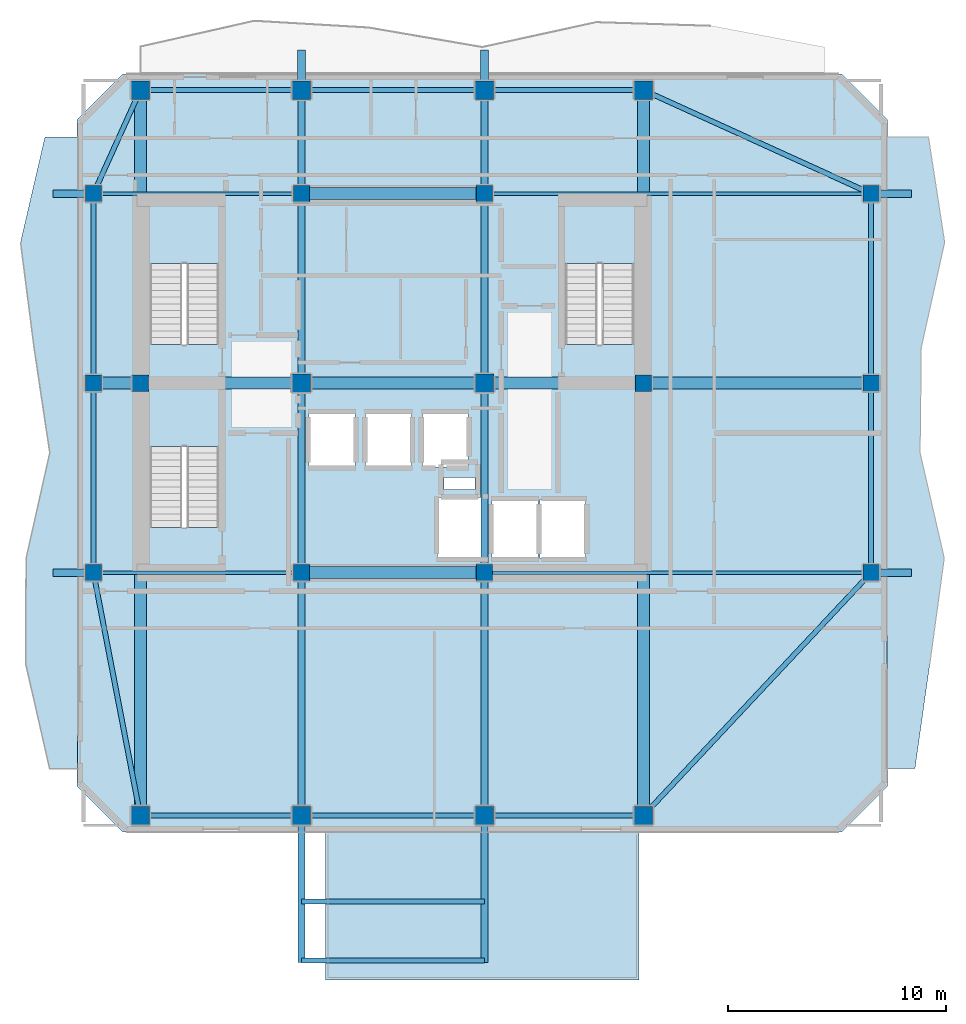
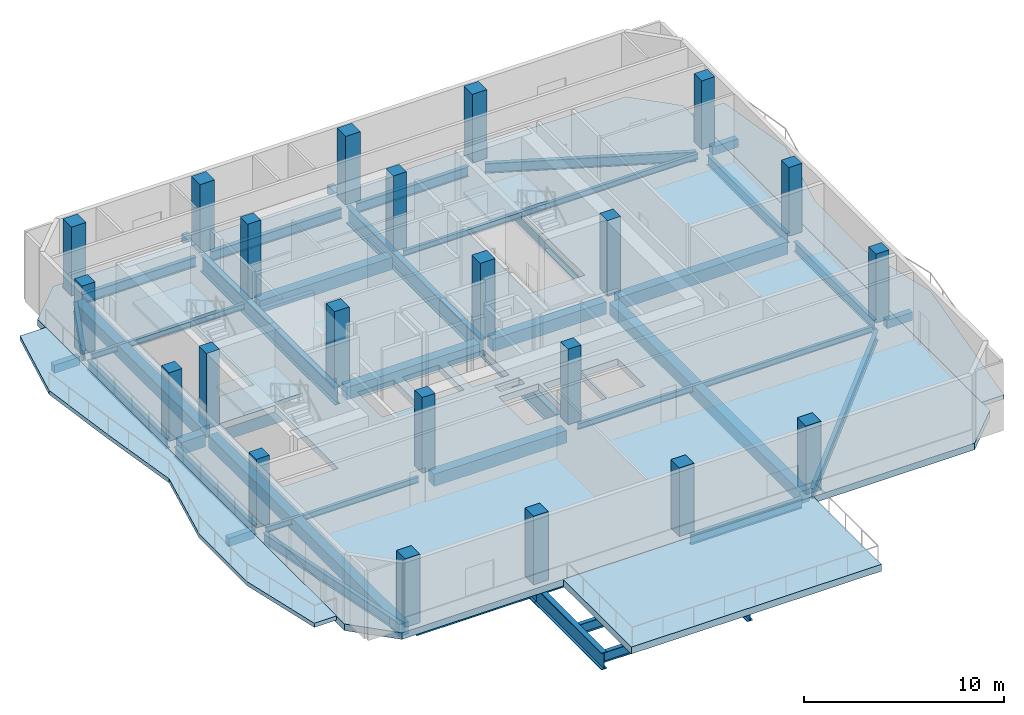
# One storey, part 1 of 10: 43 beams, 22 columns, 7 slabs, 3 elements without a shape of their own.
"""IFC4 building model written with IfcOpenShell, lengths in metres."""

from ifc_helpers import new_model, si_unit, direction, frame, origin, origin_2d, place, context, subcontext, project, spatial, polyline, rectangle, i_section, outline, extrude, material, layer, layer_set, material_profile, profile_set, type_object, element, aggregate, save


model = new_model("IFC4")

# Units and contexts
model_context = context("Model", 3, precision=1e-05, world=origin(), true_north=direction((0.0, 1.0)))
body_context = subcontext(model_context, "Body", "Model", "MODEL_VIEW")
ifc_project = project(units=[si_unit("LENGTHUNIT", "METRE"), si_unit("AREAUNIT", "SQUARE_METRE"), si_unit("VOLUMEUNIT", "CUBIC_METRE"), si_unit("PLANEANGLEUNIT", "RADIAN"), si_unit("MASSUNIT", "GRAM", prefix="KILO")], contexts=[model_context])

# Site, building, storey
site_placement = place(None, origin())
site = spatial("IfcSite", under=ifc_project, at=site_placement, CompositionType="ELEMENT")
building_placement = place(site_placement, origin())
building = spatial("IfcBuilding", under=site, at=building_placement, Name="Solanera Arch Residences", CompositionType="ELEMENT")
storey_placement = place(building_placement, frame((0.0, 0.0, 226.679931640625)))
storey = spatial("IfcBuildingStorey", under=building, at=storey_placement, Name="L66", CompositionType="ELEMENT", Elevation=226.679931640625)

# Columns
ifc_material_1 = material(Name="Concrete C40/50 (f'c = 45 MPa)", Category="concrete")
ifc_material_profile_1 = material_profile(ifc_material_1, rectangle(XDim=0.75, YDim=0.75, at=origin_2d()))
ifc_profile_set_1 = profile_set([ifc_material_profile_1], Name="Concrete C40/50 (f'c = 45 MPa)")
column_type_1 = type_object("IfcColumnType", Name="Structural Column RC-COL-750X750", PredefinedType="COLUMN", material=ifc_profile_set_1)
for number, where, z_axis, x_axis, name in (
    (1, (20.800048828125, 22.0, 0.0), (0.0, 0.0, 1.0), (1.0, 0.0, 0.0), "COL-L66-CB-SW"),
    (2, (29.199951171875, 22.0, 0.0), (0.0, 0.0, 1.0), (1.0, 0.0, 0.0), "COL-L66-CB-SE"),
    (3, (20.800048828125, 39.39990234375, 0.0), (0.0, 0.0, 1.0), (1.0, 0.0, 0.0), "COL-L66-CB-NW"),
    (4, (29.199951171875, 39.39990234375, 0.0), (0.0, 0.0, 1.0), (1.0, 0.0, 0.0), "COL-L66-CB-NE"),
    (5, (13.39990234375, 30.699951171875, 0.0), (0.0, 0.0, 1.0), (1.0, 0.0, 0.0), "COL-L66-CB-WW"),
    (6, (36.5, 30.699951171875, 0.0), (0.0, 0.0, 1.0), (1.0, 0.0, 0.0), "COL-L66-CB-EE"),
):
    element("IfcColumn", number, at=place(storey_placement, frame(where, z_axis=z_axis, x_axis=x_axis)), inside=storey, type_object=column_type_1, Name=name, PredefinedType="COLUMN", context=body_context, shape_type="SweptSolid", body=[
        extrude(rectangle(XDim=0.75, YDim=0.75, at=origin_2d()), origin(), (0.0, 0.0, 1.0), 4.60009765625),
    ])
for number, where, z_axis, x_axis, name in (
    (7, (11.25, 22.0, 0.0), (0.0, 0.0, 1.0), (1.0, 0.0, 0.0), "COL-L66-TWR-09"),
    (8, (46.949951171875, 22.0, 0.0), (0.0, 0.0, 1.0), (1.0, 0.0, 0.0), "COL-L66-TWR-10"),
    (9, (11.25, 30.699951171875, 0.0), (0.0, 0.0, 1.0), (1.0, 0.0, 0.0), "COL-L66-TWR-11"),
    (10, (46.949951171875, 30.699951171875, 0.0), (0.0, 0.0, 1.0), (1.0, 0.0, 0.0), "COL-L66-TWR-12"),
    (11, (11.25, 39.39990234375, 0.0), (0.0, 0.0, 1.0), (1.0, 0.0, 0.0), "COL-L66-TWR-13"),
    (12, (46.949951171875, 39.39990234375, 0.0), (0.0, 0.0, 1.0), (1.0, 0.0, 0.0), "COL-L66-TWR-14"),
):
    element("IfcColumn", number, at=place(storey_placement, frame(where, z_axis=z_axis, x_axis=x_axis)), inside=storey, type_object=column_type_1, Name=name, PredefinedType="COLUMN", context=body_context, shape_type="SweptSolid", body=[
        extrude(rectangle(XDim=0.75, YDim=0.75, at=origin_2d()), origin(), (0.0, 0.0, 1.0), 4.18017578125),
    ])
ifc_material_2 = material(Name="Concrete C40/50 (f'c = 45 MPa)", Category="concrete")
ifc_material_profile_2 = material_profile(ifc_material_2, rectangle(XDim=0.85009765625, YDim=0.85009765625, at=origin_2d()))
ifc_profile_set_2 = profile_set([ifc_material_profile_2], Name="Concrete C40/50 (f'c = 45 MPa)")
column_type_2 = type_object("IfcColumnType", Name="Structural Column RC-COL-850X850", PredefinedType="COLUMN", material=ifc_profile_set_2)
for number, where, z_axis, x_axis, name in (
    (13, (20.800048828125, 30.699951171875, 0.0), (0.0, 0.0, 1.0), (1.0, 0.0, 0.0), "COL-L66-CORE-W"),
    (14, (29.199951171875, 30.699951171875, 0.0), (0.0, 0.0, 1.0), (1.0, 0.0, 0.0), "COL-L66-CORE-E"),
):
    element("IfcColumn", number, at=place(storey_placement, frame(where, z_axis=z_axis, x_axis=x_axis)), inside=storey, type_object=column_type_2, Name=name, PredefinedType="COLUMN", context=body_context, shape_type="SweptSolid", body=[
        extrude(rectangle(XDim=0.85009765625, YDim=0.85009765625, at=origin_2d()), origin(), (0.0, 0.0, 1.0), 4.60009765625),
    ])
for number, where, z_axis, x_axis, name in (
    (15, (13.39990234375, 10.85009765625, 0.0), (0.0, 0.0, 1.0), (1.0, 0.0, 0.0), "COL-L66-TWR-01"),
    (16, (13.39990234375, 44.14990234375, 0.0), (0.0, 0.0, 1.0), (1.0, 0.0, 0.0), "COL-L66-TWR-02"),
    (17, (20.800048828125, 10.85009765625, 0.0), (0.0, 0.0, 1.0), (1.0, 0.0, 0.0), "COL-L66-TWR-03"),
    (18, (20.800048828125, 44.14990234375, 0.0), (0.0, 0.0, 1.0), (1.0, 0.0, 0.0), "COL-L66-TWR-04"),
    (19, (29.199951171875, 10.85009765625, 0.0), (0.0, 0.0, 1.0), (1.0, 0.0, 0.0), "COL-L66-TWR-05"),
    (20, (29.199951171875, 44.14990234375, 0.0), (0.0, 0.0, 1.0), (1.0, 0.0, 0.0), "COL-L66-TWR-06"),
    (21, (36.5, 10.85009765625, 0.0), (0.0, 0.0, 1.0), (1.0, 0.0, 0.0), "COL-L66-TWR-07"),
    (22, (36.5, 44.14990234375, 0.0), (0.0, 0.0, 1.0), (1.0, 0.0, 0.0), "COL-L66-TWR-08"),
):
    element("IfcColumn", number, at=place(storey_placement, frame(where, z_axis=z_axis, x_axis=x_axis)), inside=storey, type_object=column_type_2, Name=name, PredefinedType="COLUMN", context=body_context, shape_type="SweptSolid", body=[
        extrude(rectangle(XDim=0.85009765625, YDim=0.85009765625, at=origin_2d()), origin(), (0.0, 0.0, 1.0), 4.18017578125),
    ])

# Beams
ifc_material_3 = material(Name="Concrete C40/50 (f'c = 45 MPa)", Category="concrete")
ifc_material_profile_3 = material_profile(ifc_material_3, rectangle(XDim=0.35009765625, YDim=0.5, at=origin_2d()))
ifc_profile_set_3 = profile_set([ifc_material_profile_3], Name="Concrete C40/50 (f'c = 45 MPa)")
beam_type_1 = type_object("IfcBeamType", Name="BM-BALC-RIB", PredefinedType="BEAM", material=ifc_profile_set_3)
for number, where, z_axis, x_axis, name in (
    (23, (20.800048828125, 44.574951171875, -0.5), (0.0, 1.0, 0.0), (-1.0, 0.0, 0.0), "BM-L66-BRIB-N1"),
    (24, (29.199951171875, 44.574951171875, -0.5), (0.0, 1.0, 0.0), (-1.0, 0.0, 0.0), "BM-L66-BRIB-N2"),
):
    element("IfcBeam", number, at=place(storey_placement, frame(where, z_axis=z_axis, x_axis=x_axis)), inside=storey, type_object=beam_type_1, Name=name, PredefinedType="BEAM", context=body_context, shape_type="SweptSolid", body=[
        extrude(rectangle(XDim=0.35009765625, YDim=0.5, at=origin_2d()), origin(), (0.0, 0.0, 1.0), 1.425048828125),
    ])
for number, where, z_axis, x_axis, name in (
    (25, (47.324951171875, 22.0, -0.5), (1.0, 0.0, 0.0), (0.0, 1.0, 0.0), "BM-L66-BRIB-E1"),
    (26, (47.324951171875, 39.39990234375, -0.5), (1.0, 0.0, 0.0), (0.0, 1.0, 0.0), "BM-L66-BRIB-E2"),
    (27, (9.39990234375, 22.0, -0.5), (1.0, 0.0, 0.0), (0.0, 1.0, 0.0), "BM-L66-BRIB-W1"),
    (28, (9.39990234375, 39.39990234375, -0.5), (1.0, 0.0, 0.0), (0.0, 1.0, 0.0), "BM-L66-BRIB-W2"),
):
    element("IfcBeam", number, at=place(storey_placement, frame(where, z_axis=z_axis, x_axis=x_axis)), inside=storey, type_object=beam_type_1, Name=name, PredefinedType="BEAM", context=body_context, shape_type="SweptSolid", body=[
        extrude(rectangle(XDim=0.35009765625, YDim=0.5, at=origin_2d()), origin(), (0.0, 0.0, 1.0), 1.47509765625),
    ])
ifc_material_4 = material(Name="Steel S355 (ASTM A992 / A572 Grade 50)", Category="steel")
ifc_material_profile_4 = material_profile(ifc_material_4, i_section(OverallWidth=0.303955078125, OverallDepth=1.035888671875, WebThickness=0.0244140625, FlangeThickness=0.0439453125, at=origin_2d()))
ifc_profile_set_4 = profile_set([ifc_material_profile_4], Name="Steel S355 (ASTM A992 / A572 Grade 50)")
beam_type_2 = type_object("IfcBeamType", Name="BM-CANT-POOL", PredefinedType="BEAM", material=ifc_profile_set_4)
beam_1_placement = place(storey_placement, frame((20.800048828125, 10.85009765625, -0.93798828125), z_axis=(0.0, 1.0, 0.0), x_axis=(-1.0, 0.0, 0.0)))
element("IfcBeam", 29, at=beam_1_placement, inside=storey, type_object=beam_type_2, Name="L66 Sky Pool South Back-Span 1", PredefinedType="BEAM", context=body_context, shape_type="SweptSolid", body=[
    extrude(i_section(OverallWidth=0.303955078125, OverallDepth=1.035888671875, WebThickness=0.0244140625, FlangeThickness=0.0439453125, at=origin_2d()), origin(), (0.0, 0.0, 1.0), 19.849853515625),
])
beam_2_placement = place(storey_placement, frame((20.800048828125, 30.699951171875, -0.93798828125), z_axis=(0.0, 1.0, 0.0), x_axis=(-1.0, 0.0, 0.0)))
element("IfcBeam", 30, at=beam_2_placement, inside=storey, type_object=beam_type_2, Name="L66 Sky Pool North Back-Span 1", PredefinedType="BEAM", context=body_context, shape_type="SweptSolid", body=[
    extrude(i_section(OverallWidth=0.303955078125, OverallDepth=1.035888671875, WebThickness=0.0244140625, FlangeThickness=0.0439453125, at=origin_2d()), origin(), (0.0, 0.0, 1.0), 13.449951171875),
])
beam_3_placement = place(storey_placement, frame((20.800048828125, 4.10009765625, -0.93798828125), z_axis=(0.0, 1.0, 0.0), x_axis=(-1.0, 0.0, 0.0)))
element("IfcBeam", 31, at=beam_3_placement, inside=storey, type_object=beam_type_2, Name="L66 Sky Pool Cantilever Girder 1", PredefinedType="BEAM", context=body_context, shape_type="SweptSolid", body=[
    extrude(i_section(OverallWidth=0.303955078125, OverallDepth=1.035888671875, WebThickness=0.0244140625, FlangeThickness=0.0439453125, at=origin_2d()), origin(), (0.0, 0.0, 1.0), 6.75),
])
beam_4_placement = place(storey_placement, frame((29.199951171875, 10.85009765625, -0.93798828125), z_axis=(0.0, 1.0, 0.0), x_axis=(-1.0, 0.0, 0.0)))
element("IfcBeam", 32, at=beam_4_placement, inside=storey, type_object=beam_type_2, Name="L66 Sky Pool South Back-Span 2", PredefinedType="BEAM", context=body_context, shape_type="SweptSolid", body=[
    extrude(i_section(OverallWidth=0.303955078125, OverallDepth=1.035888671875, WebThickness=0.0244140625, FlangeThickness=0.0439453125, at=origin_2d()), origin(), (0.0, 0.0, 1.0), 19.849853515625),
])
beam_5_placement = place(storey_placement, frame((29.199951171875, 30.699951171875, -0.93798828125), z_axis=(0.0, 1.0, 0.0), x_axis=(-1.0, 0.0, 0.0)))
element("IfcBeam", 33, at=beam_5_placement, inside=storey, type_object=beam_type_2, Name="L66 Sky Pool North Back-Span 2", PredefinedType="BEAM", context=body_context, shape_type="SweptSolid", body=[
    extrude(i_section(OverallWidth=0.303955078125, OverallDepth=1.035888671875, WebThickness=0.0244140625, FlangeThickness=0.0439453125, at=origin_2d()), origin(), (0.0, 0.0, 1.0), 13.449951171875),
])
beam_6_placement = place(storey_placement, frame((29.199951171875, 4.10009765625, -0.93798828125), z_axis=(0.0, 1.0, 0.0), x_axis=(-1.0, 0.0, 0.0)))
element("IfcBeam", 34, at=beam_6_placement, inside=storey, type_object=beam_type_2, Name="L66 Sky Pool Cantilever Girder 2", PredefinedType="BEAM", context=body_context, shape_type="SweptSolid", body=[
    extrude(i_section(OverallWidth=0.303955078125, OverallDepth=1.035888671875, WebThickness=0.0244140625, FlangeThickness=0.0439453125, at=origin_2d()), origin(), (0.0, 0.0, 1.0), 6.75),
])
ifc_material_5 = material(Name="Concrete C40/50 (f'c = 45 MPa)", Category="concrete")
ifc_material_profile_5 = material_profile(ifc_material_5, rectangle(XDim=0.550048828125, YDim=0.75, at=origin_2d()))
ifc_profile_set_5 = profile_set([ifc_material_profile_5], Name="Concrete C40/50 (f'c = 45 MPa)")
beam_type_3 = type_object("IfcBeamType", Name="Primary Beam RC-BM-550X750", PredefinedType="BEAM", material=ifc_profile_set_5)
for number, where, z_axis, x_axis, name in (
    (35, (21.178955078125, 22.0, -0.77490234375), (1.0, 0.0, 0.0), (0.0, 1.0, 0.0), "BM-L66-CC-M-220"),
    (36, (21.178955078125, 30.699951171875, -0.77490234375), (1.0, 0.0, 0.0), (0.0, 1.0, 0.0), "BM-L66-CC-M-307"),
    (37, (21.178955078125, 39.39990234375, -0.77490234375), (1.0, 0.0, 0.0), (0.0, 1.0, 0.0), "BM-L66-CC-M-394"),
):
    element("IfcBeam", number, at=place(storey_placement, frame(where, z_axis=z_axis, x_axis=x_axis)), inside=storey, type_object=beam_type_3, Name=name, PredefinedType="BEAM", context=body_context, shape_type="SweptSolid", body=[
        extrude(rectangle(XDim=0.550048828125, YDim=0.75, at=origin_2d()), origin(), (0.0, 0.0, 1.0), 7.64208984375),
    ])
beam_7_placement = place(storey_placement, frame((13.779052734375, 30.699951171875, -0.77490234375), z_axis=(1.0, 0.0, 0.0), x_axis=(0.0, 1.0, 0.0)))
element("IfcBeam", 38, at=beam_7_placement, inside=storey, type_object=beam_type_3, Name="BM-L66-CC-W", PredefinedType="BEAM", context=body_context, shape_type="SweptSolid", body=[
    extrude(rectangle(XDim=0.550048828125, YDim=0.75, at=origin_2d()), origin(), (0.0, 0.0, 1.0), 6.641845703125),
])
beam_8_placement = place(storey_placement, frame((29.5791015625, 30.699951171875, -0.77490234375), z_axis=(1.0, 0.0, 0.0), x_axis=(0.0, 1.0, 0.0)))
element("IfcBeam", 39, at=beam_8_placement, inside=storey, type_object=beam_type_3, Name="BM-L66-CC-E", PredefinedType="BEAM", context=body_context, shape_type="SweptSolid", body=[
    extrude(rectangle(XDim=0.550048828125, YDim=0.75, at=origin_2d()), origin(), (0.0, 0.0, 1.0), 6.5419921875),
])
beam_9_placement = place(storey_placement, frame((13.39990234375, 11.279052734375, -0.77490234375), z_axis=(0.0, 1.0, 0.0), x_axis=(-1.0, 0.0, 0.0)))
element("IfcBeam", 40, at=beam_9_placement, inside=storey, type_object=beam_type_3, Name="BM-L66-RAD-OS-134", PredefinedType="BEAM", context=body_context, shape_type="SweptSolid", body=[
    extrude(rectangle(XDim=0.550048828125, YDim=0.75, at=origin_2d()), origin(), (0.0, 0.0, 1.0), 19.0419921875),
])
beam_10_placement = place(storey_placement, frame((13.39990234375, 31.0791015625, -0.77490234375), z_axis=(0.0, 1.0, 0.0), x_axis=(-1.0, 0.0, 0.0)))
element("IfcBeam", 41, at=beam_10_placement, inside=storey, type_object=beam_type_3, Name="BM-L66-RAD-ON-134", PredefinedType="BEAM", context=body_context, shape_type="SweptSolid", body=[
    extrude(rectangle(XDim=0.550048828125, YDim=0.75, at=origin_2d()), origin(), (0.0, 0.0, 1.0), 12.641845703125),
])
beam_11_placement = place(storey_placement, frame((36.5, 11.279052734375, -0.77490234375), z_axis=(0.0, 1.0, 0.0), x_axis=(-1.0, 0.0, 0.0)))
element("IfcBeam", 42, at=beam_11_placement, inside=storey, type_object=beam_type_3, Name="BM-L66-RAD-OS-365", PredefinedType="BEAM", context=body_context, shape_type="SweptSolid", body=[
    extrude(rectangle(XDim=0.550048828125, YDim=0.75, at=origin_2d()), origin(), (0.0, 0.0, 1.0), 19.0419921875),
])
beam_12_placement = place(storey_placement, frame((36.5, 31.0791015625, -0.77490234375), z_axis=(0.0, 1.0, 0.0), x_axis=(-1.0, 0.0, 0.0)))
element("IfcBeam", 43, at=beam_12_placement, inside=storey, type_object=beam_type_3, Name="BM-L66-RAD-ON-365", PredefinedType="BEAM", context=body_context, shape_type="SweptSolid", body=[
    extrude(rectangle(XDim=0.550048828125, YDim=0.75, at=origin_2d()), origin(), (0.0, 0.0, 1.0), 12.641845703125),
])
beam_13_placement = place(storey_placement, frame((11.62890625, 30.699951171875, -0.77490234375), z_axis=(1.0, 0.0, 0.0), x_axis=(0.0, 1.0, 0.0)))
element("IfcBeam", 44, at=beam_13_placement, inside=storey, type_object=beam_type_3, Name="BM-L66-RAD-MW", PredefinedType="BEAM", context=body_context, shape_type="SweptSolid", body=[
    extrude(rectangle(XDim=0.550048828125, YDim=0.75, at=origin_2d()), origin(), (0.0, 0.0, 1.0), 1.39208984375),
])
beam_14_placement = place(storey_placement, frame((36.87890625, 30.699951171875, -0.77490234375), z_axis=(1.0, 0.0, 0.0), x_axis=(0.0, 1.0, 0.0)))
element("IfcBeam", 45, at=beam_14_placement, inside=storey, type_object=beam_type_3, Name="BM-L66-RAD-ME", PredefinedType="BEAM", context=body_context, shape_type="SweptSolid", body=[
    extrude(rectangle(XDim=0.550048828125, YDim=0.75, at=origin_2d()), origin(), (0.0, 0.0, 1.0), 9.692138671875),
])
ifc_material_6 = material(Name="Steel S355 (ASTM A992 / A572 Grade 50)", Category="steel")
ifc_material_profile_6 = material_profile(ifc_material_6, i_section(OverallWidth=0.22998046875, OverallDepth=0.616943359375, WebThickness=0.01318359375, FlangeThickness=0.022216796875, at=origin_2d()))
ifc_profile_set_6 = profile_set([ifc_material_profile_6], Name="Steel S355 (ASTM A992 / A572 Grade 50)")
beam_type_4 = type_object("IfcBeamType", Name="Primary Beam W610X140", PredefinedType="BEAM", material=ifc_profile_set_6)
for number, where, z_axis, x_axis, name in (
    (46, (20.800048828125, 4.199951171875, -0.72900390625), (1.0, 0.0, 0.0), (0.0, 1.0, 0.0), "BM-L66-POOL-T-42"),
    (47, (20.800048828125, 6.89990234375, -0.72900390625), (1.0, 0.0, 0.0), (0.0, 1.0, 0.0), "BM-L66-POOL-T-69"),
):
    element("IfcBeam", number, at=place(storey_placement, frame(where, z_axis=z_axis, x_axis=x_axis)), inside=storey, type_object=beam_type_4, Name=name, PredefinedType="BEAM", context=body_context, shape_type="SweptSolid", body=[
        extrude(i_section(OverallWidth=0.22998046875, OverallDepth=0.616943359375, WebThickness=0.01318359375, FlangeThickness=0.022216796875, at=origin_2d()), origin(), (0.0, 0.0, 1.0), 8.39990234375),
    ])
ifc_material_7 = material(Name="Steel S355 (ASTM A992 / A572 Grade 50)", Category="steel")
ifc_material_profile_7 = material_profile(ifc_material_7, i_section(OverallWidth=0.172119140625, OverallDepth=0.35791015625, WebThickness=0.0078125, FlangeThickness=0.01318359375, at=origin_2d()))
ifc_profile_set_7 = profile_set([ifc_material_profile_7], Name="Steel S355 (ASTM A992 / A572 Grade 50)")
beam_type_5 = type_object("IfcBeamType", Name="Secondary Joist W360X57.8", PredefinedType="JOIST", material=ifc_profile_set_7)
beam_15_placement = place(storey_placement, frame((11.62890625, 22.0, -0.578857421875), z_axis=(1.0, 0.0, 0.0), x_axis=(0.0, 1.0, 0.0)))
element("IfcBeam", 48, at=beam_15_placement, inside=storey, type_object=beam_type_5, Name="BM-L66-RAD-W-220", PredefinedType="JOIST", context=body_context, shape_type="SweptSolid", body=[
    extrude(i_section(OverallWidth=0.172119140625, OverallDepth=0.35791015625, WebThickness=0.0078125, FlangeThickness=0.01318359375, at=origin_2d()), origin(), (0.0, 0.0, 1.0), 8.7919921875),
])
beam_16_placement = place(storey_placement, frame((29.5791015625, 22.0, -0.578857421875), z_axis=(1.0, 0.0, 0.0), x_axis=(0.0, 1.0, 0.0)))
element("IfcBeam", 49, at=beam_16_placement, inside=storey, type_object=beam_type_5, Name="BM-L66-RAD-E-220", PredefinedType="JOIST", context=body_context, shape_type="SweptSolid", body=[
    extrude(i_section(OverallWidth=0.172119140625, OverallDepth=0.35791015625, WebThickness=0.0078125, FlangeThickness=0.01318359375, at=origin_2d()), origin(), (0.0, 0.0, 1.0), 16.991943359375),
])
beam_17_placement = place(storey_placement, frame((11.62890625, 39.39990234375, -0.578857421875), z_axis=(1.0, 0.0, 0.0), x_axis=(0.0, 1.0, 0.0)))
element("IfcBeam", 50, at=beam_17_placement, inside=storey, type_object=beam_type_5, Name="BM-L66-RAD-W-394", PredefinedType="JOIST", context=body_context, shape_type="SweptSolid", body=[
    extrude(i_section(OverallWidth=0.172119140625, OverallDepth=0.35791015625, WebThickness=0.0078125, FlangeThickness=0.01318359375, at=origin_2d()), origin(), (0.0, 0.0, 1.0), 8.7919921875),
])
beam_18_placement = place(storey_placement, frame((29.5791015625, 39.39990234375, -0.578857421875), z_axis=(1.0, 0.0, 0.0), x_axis=(0.0, 1.0, 0.0)))
element("IfcBeam", 51, at=beam_18_placement, inside=storey, type_object=beam_type_5, Name="BM-L66-RAD-E-394", PredefinedType="JOIST", context=body_context, shape_type="SweptSolid", body=[
    extrude(i_section(OverallWidth=0.172119140625, OverallDepth=0.35791015625, WebThickness=0.0078125, FlangeThickness=0.01318359375, at=origin_2d()), origin(), (0.0, 0.0, 1.0), 16.991943359375),
])
ifc_material_8 = material(Name="Steel S355 (ASTM A992 / A572 Grade 50)", Category="steel")
ifc_material_profile_8 = material_profile(ifc_material_8, i_section(OverallWidth=0.22802734375, OverallDepth=0.60791015625, WebThickness=0.01123046875, FlangeThickness=0.017333984375, at=origin_2d()))
ifc_profile_set_8 = profile_set([ifc_material_profile_8], Name="Steel S355 (ASTM A992 / A572 Grade 50)")
beam_type_6 = type_object("IfcBeamType", Name="Spandrel Beam W610X113", PredefinedType="SPANDREL", material=ifc_profile_set_8)
for number, where, z_axis, x_axis, name in (
    (52, (13.8291015625, 10.85009765625, -0.703857421875), (1.0, 0.0, 0.0), (0.0, 1.0, 0.0), "BM-L66-SPN-S-1"),
    (53, (13.8291015625, 44.14990234375, -0.703857421875), (1.0, 0.0, 0.0), (0.0, 1.0, 0.0), "BM-L66-SPN-N-1"),
):
    element("IfcBeam", number, at=place(storey_placement, frame(where, z_axis=z_axis, x_axis=x_axis)), inside=storey, type_object=beam_type_6, Name=name, PredefinedType="SPANDREL", context=body_context, shape_type="SweptSolid", body=[
        extrude(i_section(OverallWidth=0.22802734375, OverallDepth=0.60791015625, WebThickness=0.01123046875, FlangeThickness=0.017333984375, at=origin_2d()), origin(), (0.0, 0.0, 1.0), 6.5419921875),
    ])
for number, where, z_axis, x_axis, name in (
    (54, (21.22900390625, 10.85009765625, -0.703857421875), (1.0, 0.0, 0.0), (0.0, 1.0, 0.0), "BM-L66-SPN-S-2"),
    (55, (21.22900390625, 44.14990234375, -0.703857421875), (1.0, 0.0, 0.0), (0.0, 1.0, 0.0), "BM-L66-SPN-N-2"),
):
    element("IfcBeam", number, at=place(storey_placement, frame(where, z_axis=z_axis, x_axis=x_axis)), inside=storey, type_object=beam_type_6, Name=name, PredefinedType="SPANDREL", context=body_context, shape_type="SweptSolid", body=[
        extrude(i_section(OverallWidth=0.22802734375, OverallDepth=0.60791015625, WebThickness=0.01123046875, FlangeThickness=0.017333984375, at=origin_2d()), origin(), (0.0, 0.0, 1.0), 7.5419921875),
    ])
for number, where, z_axis, x_axis, name in (
    (56, (29.62890625, 10.85009765625, -0.703857421875), (1.0, 0.0, 0.0), (0.0, 1.0, 0.0), "BM-L66-SPN-S-3"),
    (57, (29.62890625, 44.14990234375, -0.703857421875), (1.0, 0.0, 0.0), (0.0, 1.0, 0.0), "BM-L66-SPN-N-3"),
):
    element("IfcBeam", number, at=place(storey_placement, frame(where, z_axis=z_axis, x_axis=x_axis)), inside=storey, type_object=beam_type_6, Name=name, PredefinedType="SPANDREL", context=body_context, shape_type="SweptSolid", body=[
        extrude(i_section(OverallWidth=0.22802734375, OverallDepth=0.60791015625, WebThickness=0.01123046875, FlangeThickness=0.017333984375, at=origin_2d()), origin(), (0.0, 0.0, 1.0), 6.442138671875),
    ])
for number, where, z_axis, x_axis, name in (
    (58, (11.25, 22.37890625, -0.703857421875), (0.0, 1.0, 0.0), (-1.0, 0.0, 0.0), "BM-L66-SPN-W-1"),
    (59, (46.949951171875, 22.37890625, -0.703857421875), (0.0, 1.0, 0.0), (-1.0, 0.0, 0.0), "BM-L66-SPN-E-1"),
):
    element("IfcBeam", number, at=place(storey_placement, frame(where, z_axis=z_axis, x_axis=x_axis)), inside=storey, type_object=beam_type_6, Name=name, PredefinedType="SPANDREL", context=body_context, shape_type="SweptSolid", body=[
        extrude(i_section(OverallWidth=0.22802734375, OverallDepth=0.60791015625, WebThickness=0.01123046875, FlangeThickness=0.017333984375, at=origin_2d()), origin(), (0.0, 0.0, 1.0), 7.942138671875),
    ])
for number, where, z_axis, x_axis, name in (
    (60, (11.25, 31.0791015625, -0.703857421875), (0.0, 1.0, 0.0), (-1.0, 0.0, 0.0), "BM-L66-SPN-W-2"),
    (61, (46.949951171875, 31.0791015625, -0.703857421875), (0.0, 1.0, 0.0), (-1.0, 0.0, 0.0), "BM-L66-SPN-E-2"),
):
    element("IfcBeam", number, at=place(storey_placement, frame(where, z_axis=z_axis, x_axis=x_axis)), inside=storey, type_object=beam_type_6, Name=name, PredefinedType="SPANDREL", context=body_context, shape_type="SweptSolid", body=[
        extrude(i_section(OverallWidth=0.22802734375, OverallDepth=0.60791015625, WebThickness=0.01123046875, FlangeThickness=0.017333984375, at=origin_2d()), origin(), (0.0, 0.0, 1.0), 7.94189453125),
    ])
beam_19_placement = place(storey_placement, frame((13.31689453125, 11.279052734375, -0.703857421875), z_axis=(-0.189309049989, 0.981917554376, 0.0), x_axis=(-0.981917554376, -0.189309049989, 0.0)))
element("IfcBeam", 62, at=beam_19_placement, inside=storey, type_object=beam_type_6, Name="BM-L66-SPN-SW", PredefinedType="SPANDREL", context=body_context, shape_type="SweptSolid", body=[
    extrude(i_section(OverallWidth=0.22802734375, OverallDepth=0.60791015625, WebThickness=0.01123046875, FlangeThickness=0.017333984375, at=origin_2d()), origin(), (0.0, 0.0, 1.0), 10.532470703125),
])
beam_20_placement = place(storey_placement, frame((13.2060546875, 43.720947265625, -0.703857421875), z_axis=(-0.412535820952, -0.910941379251, 0.0), x_axis=(0.910941379251, -0.412535820952, 0.0)))
element("IfcBeam", 63, at=beam_20_placement, inside=storey, type_object=beam_type_6, Name="BM-L66-SPN-NW", PredefinedType="SPANDREL", context=body_context, shape_type="SweptSolid", body=[
    extrude(i_section(OverallWidth=0.22802734375, OverallDepth=0.60791015625, WebThickness=0.01123046875, FlangeThickness=0.017333984375, at=origin_2d()), origin(), (0.0, 0.0, 1.0), 4.327392578125),
])
beam_21_placement = place(storey_placement, frame((36.868896484375, 11.243896484375, -0.703857421875), z_axis=(0.68384805947, 0.72962444556, 0.0), x_axis=(-0.72962444556, 0.68384805947, 0.0)))
element("IfcBeam", 64, at=beam_21_placement, inside=storey, type_object=beam_type_6, Name="BM-L66-SPN-SE", PredefinedType="SPANDREL", context=body_context, shape_type="SweptSolid", body=[
    extrude(i_section(OverallWidth=0.22802734375, OverallDepth=0.60791015625, WebThickness=0.01123046875, FlangeThickness=0.017333984375, at=origin_2d()), origin(), (0.0, 0.0, 1.0), 14.223876953125),
])
beam_22_placement = place(storey_placement, frame((36.928955078125, 43.955078125, -0.703857421875), z_axis=(0.910356214976, -0.413825521028, 0.0), x_axis=(0.413825521028, 0.910356214976, 0.0)))
element("IfcBeam", 65, at=beam_22_placement, inside=storey, type_object=beam_type_6, Name="BM-L66-SPN-NE", PredefinedType="SPANDREL", context=body_context, shape_type="SweptSolid", body=[
    extrude(i_section(OverallWidth=0.22802734375, OverallDepth=0.60791015625, WebThickness=0.01123046875, FlangeThickness=0.017333984375, at=origin_2d()), origin(), (0.0, 0.0, 1.0), 10.591552734375),
])

# Slabs
ifc_material_9 = material(Name="Concrete C40/50 (f'c = 45 MPa)", Category="concrete")
ifc_layer_1 = layer(ifc_material_9, 0.25)
ifc_layer_set_1 = layer_set([ifc_layer_1], Name="Concrete C40/50 (f'c = 45 MPa)")
slab_type_1 = type_object("IfcSlabType", Name="Balcony Slab 250", PredefinedType="FLOOR", material=ifc_layer_set_1)
slab_1_placement = place(storey_placement, frame((0.0, 0.0, -0.25)))
element("IfcSlab", 66, at=slab_1_placement, inside=storey, type_object=slab_type_1, Name="L66 E Rippling Brise-Soleil Balcony Slab", PredefinedType="FLOOR", context=body_context, shape_type="SweptSolid", body=[
    extrude(outline(polyline([(48.965087890625, 13.0), (49.64892578125, 17.8330078125), (50.30908203125, 22.6669921875), (49.199951171875, 27.5), (49.2529296875, 32.3330078125), (50.327880859375, 37.1669921875), (49.583984375, 42.0), (47.679931640625, 42.0), (47.679931640625, 13.0), (48.965087890625, 13.0)])), origin(), (0.0, 0.0, 1.0), 0.25),
])
slab_2_placement = place(storey_placement, frame((0.0, 0.0, -0.25)))
element("IfcSlab", 67, at=slab_2_placement, inside=storey, type_object=slab_type_1, Name="L66 W Rippling Brise-Soleil Balcony Slab", PredefinedType="FLOOR", context=body_context, shape_type="SweptSolid", body=[
    extrude(outline(polyline([(9.02099609375, 42.0), (7.90087890625, 37.1669921875), (8.52294921875, 32.3330078125), (9.242919921875, 27.5), (8.157958984375, 22.6669921875), (8.135009765625, 17.8330078125), (9.235107421875, 13.0), (10.52001953125, 13.0), (10.52001953125, 42.0), (9.02099609375, 42.0)])), origin(), (0.0, 0.0, 1.0), 0.25),
])

# Stair, slab
ifc_material_10 = material(Name="Concrete C40/50 (f'c = 45 MPa)", Category="concrete")
stair_type = type_object("IfcStairType", Name="Tower Dogleg Exit Stair 1480", PredefinedType="HALF_TURN_STAIR", material=ifc_material_10)
stair_1_placement = place(storey_placement, origin())
stair_1 = element("IfcStair", 68, at=stair_1_placement, inside=storey, type_object=stair_type, Name="L66 Tower Core Exit Stair 1", PredefinedType="HALF_TURN_STAIR")
ifc_material_11 = material(Name="Concrete C40/50 (f'c = 45 MPa)", Category="concrete")
ifc_layer_2 = layer(ifc_material_11, 0.199951171875)
ifc_layer_set_2 = layer_set([ifc_layer_2], Name="Concrete C40/50 (f'c = 45 MPa)")
slab_type_2 = type_object("IfcSlabType", Name="Stair Half-Landing Slab 200", PredefinedType="LANDING", material=ifc_layer_set_2)
slab_3_placement = place(storey_placement, frame((0.0, 0.0, 2.10009765625)))
slab_3 = element("IfcSlab", 69, at=slab_3_placement, type_object=slab_type_2, Name="ST-T1 landing 1", PredefinedType="LANDING", context=body_context, shape_type="SweptSolid", body=[
    extrude(outline(polyline([(17.1201171875, 36.18994140625), (17.1201171875, 38.919921875), (13.719970703125, 38.919921875), (13.719970703125, 36.18994140625), (17.1201171875, 36.18994140625)])), origin(), (0.0, 0.0, 1.0), 0.199951171875),
])
aggregate(stair_1, [slab_3])

stair_2_placement = place(storey_placement, origin())
stair_2 = element("IfcStair", 70, at=stair_2_placement, inside=storey, type_object=stair_type, Name="L66 Tower Core Exit Stair 2", PredefinedType="HALF_TURN_STAIR")
slab_4_placement = place(storey_placement, frame((0.0, 0.0, 2.10009765625)))
slab_4 = element("IfcSlab", 71, at=slab_4_placement, type_object=slab_type_2, Name="ST-T2 landing 1", PredefinedType="LANDING", context=body_context, shape_type="SweptSolid", body=[
    extrude(outline(polyline([(36.179931640625, 36.18994140625), (36.179931640625, 38.919921875), (32.780029296875, 38.919921875), (32.780029296875, 36.18994140625), (36.179931640625, 36.18994140625)])), origin(), (0.0, 0.0, 1.0), 0.199951171875),
])
aggregate(stair_2, [slab_4])

stair_3_placement = place(storey_placement, origin())
stair_3 = element("IfcStair", 72, at=stair_3_placement, inside=storey, type_object=stair_type, Name="L66 Tower Core Exit Stair 3", PredefinedType="HALF_TURN_STAIR")
slab_5_placement = place(storey_placement, frame((0.0, 0.0, 2.10009765625)))
slab_5 = element("IfcSlab", 73, at=slab_5_placement, type_object=slab_type_2, Name="ST-T3 landing 1", PredefinedType="LANDING", context=body_context, shape_type="SweptSolid", body=[
    extrude(outline(polyline([(17.1201171875, 27.7900390625), (17.1201171875, 30.52001953125), (13.719970703125, 30.52001953125), (13.719970703125, 27.7900390625), (17.1201171875, 27.7900390625)])), origin(), (0.0, 0.0, 1.0), 0.199951171875),
])
aggregate(stair_3, [slab_5])

# Slabs
ifc_material_12 = material(Name="Concrete C40/50 (f'c = 45 MPa)", Category="concrete")
ifc_layer_3 = layer(ifc_material_12, 0.39990234375)
ifc_layer_set_3 = layer_set([ifc_layer_3], Name="Concrete C40/50 (f'c = 45 MPa)")
slab_type_3 = type_object("IfcSlabType", Name="Suspended Floor Slab Post-Tensioned 400", PredefinedType="FLOOR", material=ifc_layer_set_3)
slab_6_placement = place(storey_placement, frame((0.0, 0.0, -0.39990234375)))
element("IfcSlab", 74, at=slab_6_placement, inside=storey, type_object=slab_type_3, Name="L66 Tower Post-Tensioned Floor Slab", PredefinedType="FLOOR", context=body_context, shape_type="SweptSolid", body=[
    extrude(outline(polyline([(12.60009765625, 10.10009765625), (45.60009765625, 10.10009765625), (47.699951171875, 12.199951171875), (47.699951171875, 42.800048828125), (45.60009765625, 44.89990234375), (12.60009765625, 44.89990234375), (10.5, 42.800048828125), (10.5, 12.199951171875), (12.60009765625, 10.10009765625)]), holes=[polyline([(13.840087890625, 32.48291015625), (13.840087890625, 38.800048828125), (17.0, 38.800048828125), (17.0, 32.48291015625), (13.840087890625, 32.48291015625)]), polyline([(32.89990234375, 32.48291015625), (32.89990234375, 38.800048828125), (36.06005859375, 38.800048828125), (36.06005859375, 32.48291015625), (32.89990234375, 32.48291015625)]), polyline([(13.840087890625, 24.0830078125), (13.840087890625, 30.39990234375), (17.0, 30.39990234375), (17.0, 24.0830078125), (13.840087890625, 24.0830078125)]), polyline([(21.14990234375, 29.35009765625), (23.25, 29.35009765625), (23.25, 26.85009765625), (21.14990234375, 26.85009765625), (21.14990234375, 29.35009765625)]), polyline([(23.75, 29.35009765625), (25.85009765625, 29.35009765625), (25.85009765625, 26.85009765625), (23.75, 26.85009765625), (23.75, 29.35009765625)]), polyline([(26.35009765625, 29.35009765625), (28.449951171875, 29.35009765625), (28.449951171875, 26.85009765625), (26.35009765625, 26.85009765625), (26.35009765625, 29.35009765625)]), polyline([(29.550048828125, 25.35009765625), (31.64990234375, 25.35009765625), (31.64990234375, 22.64990234375), (29.550048828125, 22.64990234375), (29.550048828125, 25.35009765625)]), polyline([(31.75, 25.35009765625), (33.85009765625, 25.35009765625), (33.85009765625, 22.64990234375), (31.75, 22.64990234375), (31.75, 25.35009765625)]), polyline([(27.050048828125, 25.449951171875), (29.35009765625, 25.449951171875), (29.35009765625, 22.64990234375), (27.050048828125, 22.64990234375), (27.050048828125, 25.449951171875)]), polyline([(27.340087890625, 26.3798828125), (28.760009765625, 26.3798828125), (28.760009765625, 25.820068359375), (27.340087890625, 25.820068359375), (27.340087890625, 26.3798828125)])]), origin(), (0.0, 0.0, 1.0), 0.39990234375),
])
ifc_material_13 = material(Name="Concrete C40/50 (f'c = 45 MPa)", Category="concrete")
ifc_layer_4 = layer(ifc_material_13, 0.419921875)
ifc_layer_set_4 = layer_set([ifc_layer_4], Name="Concrete C40/50 (f'c = 45 MPa)")
slab_type_4 = type_object("IfcSlabType", Name="Terrace Slab 420", PredefinedType="FLOOR", material=ifc_layer_set_4)
slab_7_placement = place(storey_placement, frame((0.0, 0.0, -0.419921875)))
element("IfcSlab", 75, at=slab_7_placement, inside=storey, type_object=slab_type_4, Name="L66 Cantilevered Lap Sky Pool Basin and Deck Slab", PredefinedType="FLOOR", context=body_context, shape_type="SweptSolid", body=[
    extrude(outline(polyline([(21.89990234375, 3.300048828125), (36.300048828125, 3.300048828125), (36.300048828125, 10.1201171875), (21.89990234375, 10.1201171875), (21.89990234375, 3.300048828125)])), origin(), (0.0, 0.0, 1.0), 0.419921875),
])

save(model, "model.ifc")
